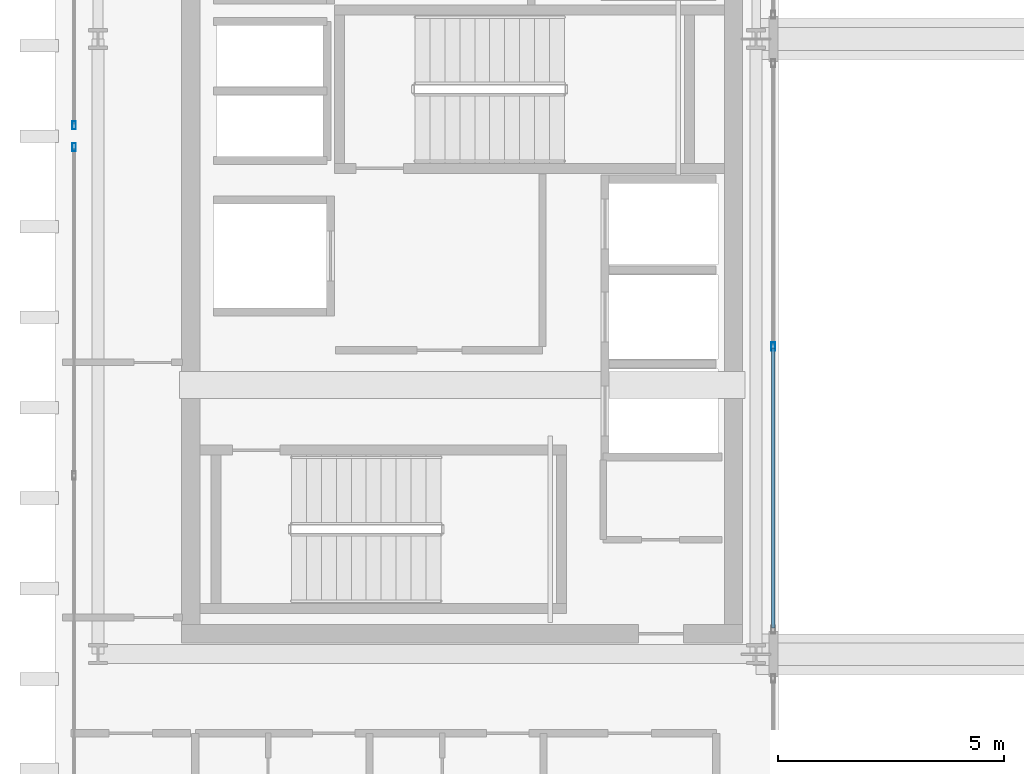
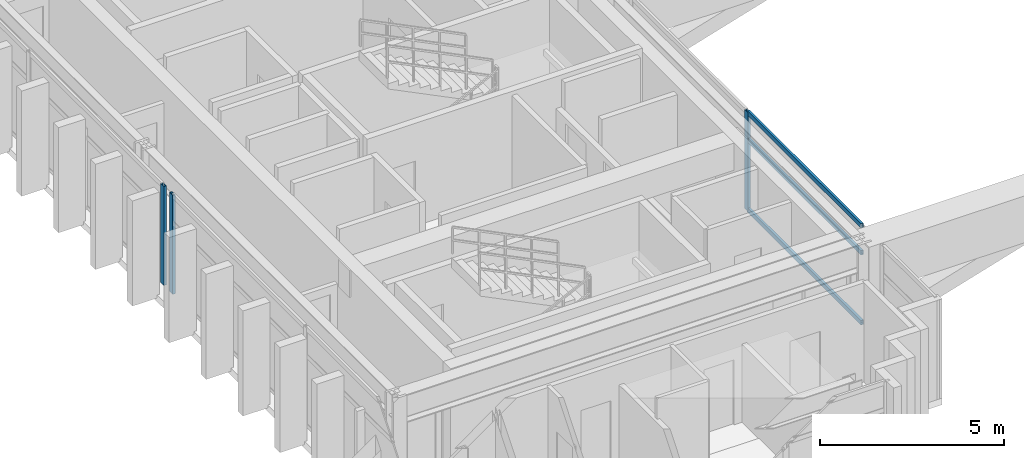
# One storey, part 5 of 28: 6 members, 3 elements without a shape of their own.
"""IFC4 building model written with IfcOpenShell, lengths in metres."""

from ifc_helpers import new_model, si_unit, direction, frame, origin, origin_2d, place, context, subcontext, project, spatial, hollow_rectangle, extrude, source, transform, mapped, material, layer, layer_set, material_profile, profile_set, type_object, element, aggregate, save


model = new_model("IFC4")

# Units and contexts
model_context = context("Model", 3, precision=1e-05, world=origin(), true_north=direction((0.0, 1.0)))
body_context = subcontext(model_context, "Body", "Model", "MODEL_VIEW")
ifc_project = project(units=[si_unit("LENGTHUNIT", "METRE"), si_unit("AREAUNIT", "SQUARE_METRE"), si_unit("VOLUMEUNIT", "CUBIC_METRE"), si_unit("PLANEANGLEUNIT", "RADIAN"), si_unit("MASSUNIT", "GRAM", prefix="KILO")], contexts=[model_context])

# Site, building, storey
site_placement = place(None, origin())
site = spatial("IfcSite", under=ifc_project, at=site_placement, CompositionType="ELEMENT")
building_placement = place(site_placement, origin())
building = spatial("IfcBuilding", under=site, at=building_placement, Name="Ocotamira Hotel", CompositionType="ELEMENT")
storey_placement = place(building_placement, frame((0.0, 0.0, 268.800048828125)))
storey = spatial("IfcBuildingStorey", under=building, at=storey_placement, Name="L68", CompositionType="ELEMENT", Elevation=268.800048828125)

# Curtain wall, member
ifc_material_1 = material(Name="Anodised pale-metal aluminium and solar glass", Category="aluminium")
ifc_layer = layer(ifc_material_1, 0.2099609375)
ifc_layer_set = layer_set([ifc_layer], Name="Anodised pale-metal aluminium and solar glass")
curtain_wall_type = type_object("IfcCurtainWallType", Name="CW-SYS7-PEAK", PredefinedType="NOTDEFINED", material=ifc_layer_set)
curtain_wall_1_placement = place(storey_placement, origin())
curtain_wall_1 = element("IfcCurtainWall", 1, at=curtain_wall_1_placement, inside=storey, type_object=curtain_wall_type, Name="L68 Curtain Wall CW-7 CW-L68-WO1", PredefinedType="NOTDEFINED")
ifc_material_2 = material(Name="Anodised pale-metal aluminium 6063-T6", Category="aluminium")
ifc_material_profile_1 = material_profile(ifc_material_2, hollow_rectangle(XDim=0.080078125, YDim=0.179931640625, WallThickness=0.006103515625, at=origin_2d()), Name="HSS180X80X6")
ifc_profile_set_1 = profile_set([ifc_material_profile_1], Name="Anodised pale-metal aluminium 6063-T6")
member_type_1 = type_object("IfcMemberType", Name="CWM-180X75", PredefinedType="MULLION", material=ifc_profile_set_1)
shared_shape_1 = source(origin(), body_context, "Body", "SweptSolid", [
    extrude(hollow_rectangle(XDim=0.080078125, YDim=0.179931640625, WallThickness=0.006103515625, at=origin_2d()), origin(), (0.0, 0.0, 1.0), 3.280029296875),
])
member_1_placement = place(storey_placement, frame((8.419921875, 25.760009765625, 0.0), z_axis=(0.0, 0.0, 1.0), x_axis=(-1.0, 0.0, 0.0)))
member_1 = element("IfcMember", 2, at=member_1_placement, type_object=member_type_1, Name="CW-7 mullion 3", PredefinedType="MULLION", context=body_context, shape_type="MappedRepresentation", body=[
    mapped(shared_shape_1, transform((0.0, 0.0, 0.0), scale=1.0)),
])
aggregate(curtain_wall_1, [member_1])

curtain_wall_2_placement = place(storey_placement, origin())
curtain_wall_2 = element("IfcCurtainWall", 3, at=curtain_wall_2_placement, inside=storey, type_object=curtain_wall_type, Name="L68 Curtain Wall CW-7 CW-L68-WO2", PredefinedType="NOTDEFINED")
member_2_placement = place(storey_placement, frame((8.419921875, 26.239990234375, 0.0), z_axis=(0.0, 0.0, 1.0), x_axis=(-1.0, 0.0, 0.0)))
member_2 = element("IfcMember", 4, at=member_2_placement, type_object=member_type_1, Name="CW-7 mullion 1", PredefinedType="MULLION", context=body_context, shape_type="MappedRepresentation", body=[
    mapped(shared_shape_1, transform((0.0, 0.0, 0.0), scale=1.0)),
])
aggregate(curtain_wall_2, [member_2])

# Curtain wall, members
curtain_wall_3_placement = place(storey_placement, origin())
curtain_wall_3 = element("IfcCurtainWall", 5, at=curtain_wall_3_placement, inside=storey, type_object=curtain_wall_type, Name="L68 Curtain Wall CW-7 CW-L68-WI2", PredefinedType="NOTDEFINED")
member_3_placement = place(storey_placement, frame((23.8798828125, 21.35009765625, 0.0), z_axis=(0.0, 0.0, 1.0), x_axis=(-1.0, 0.0, 0.0)))
member_3 = element("IfcMember", 6, at=member_3_placement, type_object=member_type_1, Name="CW-7 mullion 2", PredefinedType="MULLION", context=body_context, shape_type="MappedRepresentation", body=[
    mapped(shared_shape_1, transform((0.0, 0.0, 0.0), scale=1.0)),
])
ifc_material_profile_2 = material_profile(ifc_material_2, hollow_rectangle(XDim=0.074951171875, YDim=0.14990234375, WallThickness=0.006103515625, at=origin_2d()), Name="HSS150X75X6")
ifc_profile_set_2 = profile_set([ifc_material_profile_2], Name="Anodised pale-metal aluminium 6063-T6")
member_type_2 = type_object("IfcMemberType", Name="CWT-150X75", PredefinedType="USERDEFINED", material=ifc_profile_set_2)
shared_shape_2 = source(origin(), body_context, "Body", "SweptSolid", [
    extrude(hollow_rectangle(XDim=0.074951171875, YDim=0.14990234375, WallThickness=0.006103515625, at=origin_2d()), origin(), (0.0, 0.0, 1.0), 6.18017578125),
])
member_4_placement = place(storey_placement, frame((23.8798828125, 15.1298828125, 0.037353515625), z_axis=(0.0, 1.0, 0.0), x_axis=(-1.0, 0.0, 0.0)))
member_4 = element("IfcMember", 7, at=member_4_placement, type_object=member_type_2, Name="CW-7 transom 1.1", ObjectType="TRANSOM", PredefinedType="USERDEFINED", context=body_context, shape_type="MappedRepresentation", body=[
    mapped(shared_shape_2, transform((0.0, 0.0, 0.0), scale=1.0)),
])
member_5_placement = place(storey_placement, frame((23.8798828125, 15.1298828125, 2.349853515625), z_axis=(0.0, 1.0, 0.0), x_axis=(-1.0, 0.0, 0.0)))
member_5 = element("IfcMember", 8, at=member_5_placement, type_object=member_type_2, Name="CW-7 transom 1.2", ObjectType="TRANSOM", PredefinedType="USERDEFINED", context=body_context, shape_type="MappedRepresentation", body=[
    mapped(shared_shape_2, transform((0.0, 0.0, 0.0), scale=1.0)),
])
member_6_placement = place(storey_placement, frame((23.8798828125, 15.1298828125, 3.242431640625), z_axis=(0.0, 1.0, 0.0), x_axis=(-1.0, 0.0, 0.0)))
member_6 = element("IfcMember", 9, at=member_6_placement, type_object=member_type_2, Name="CW-7 transom 1.3", ObjectType="TRANSOM", PredefinedType="USERDEFINED", context=body_context, shape_type="MappedRepresentation", body=[
    mapped(shared_shape_2, transform((0.0, 0.0, 0.0), scale=1.0)),
])
aggregate(curtain_wall_3, [member_3, member_4, member_5, member_6])

save(model, "model.ifc")
